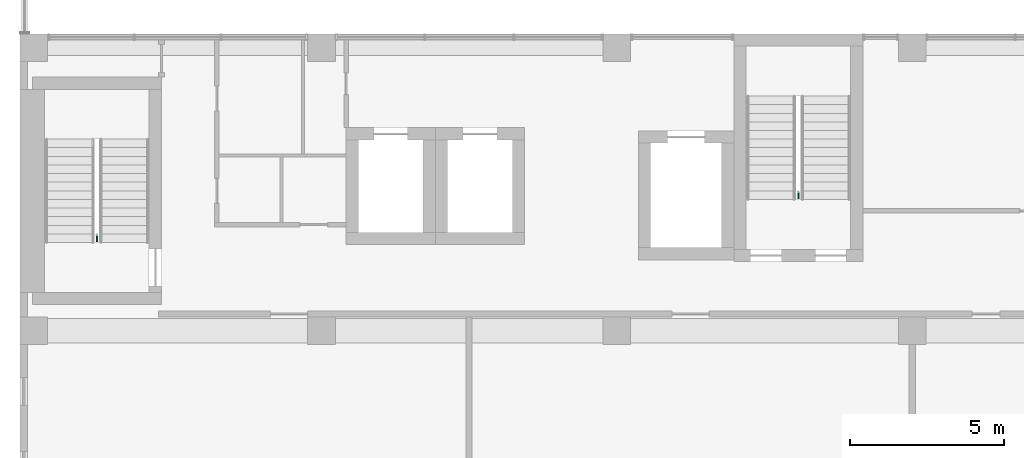
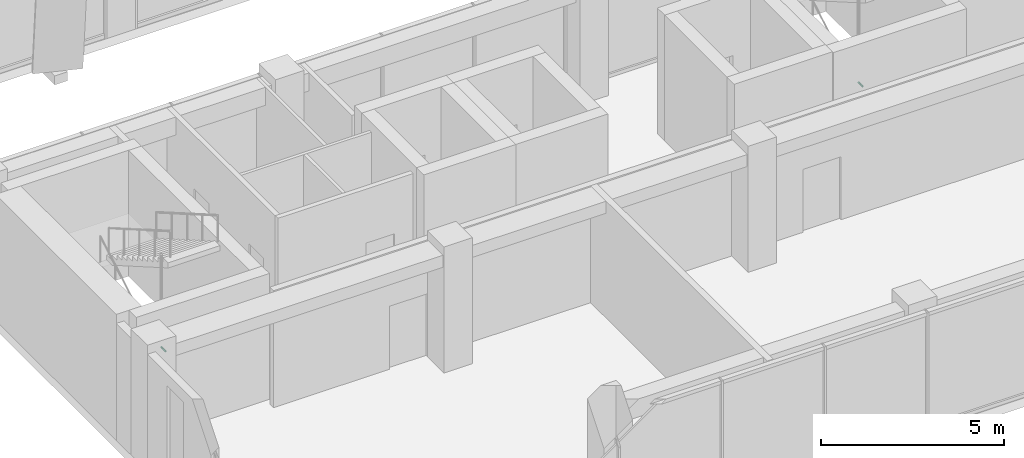
# One storey, part 35 of 36: 2 pipe fittings.
"""IFC4 building model written with IfcOpenShell, lengths in metres."""

from ifc_helpers import new_model, si_unit, direction, frame, origin, origin_2d, place, context, subcontext, project, spatial, circle, extrude, element, save


model = new_model("IFC4")

# Units and contexts
model_context = context("Model", 3, precision=1e-05, world=origin(), true_north=direction((0.0, 1.0)))
body_context = subcontext(model_context, "Body", "Model", "MODEL_VIEW")
ifc_project = project(units=[si_unit("LENGTHUNIT", "METRE"), si_unit("AREAUNIT", "SQUARE_METRE"), si_unit("VOLUMEUNIT", "CUBIC_METRE"), si_unit("PLANEANGLEUNIT", "RADIAN"), si_unit("MASSUNIT", "GRAM", prefix="KILO")], contexts=[model_context])

# Site, building, storey
site_placement = place(None, origin())
site = spatial("IfcSite", under=ifc_project, at=site_placement, CompositionType="ELEMENT")
building_placement = place(site_placement, origin())
building = spatial("IfcBuilding", under=site, at=building_placement, Name="Nzadi Deep Aquarium and Research Tower", CompositionType="ELEMENT")
storey_placement = place(building_placement, frame((0.0, 0.0, 40.300048828125)))
storey = spatial("IfcBuildingStorey", under=building, at=storey_placement, Name="L07", CompositionType="ELEMENT", Elevation=40.300048828125)

# Pipe fittings
for number, where, z_axis, x_axis, name in (
    (1, (2.300048828125, 12.320068359375, 1.099853515625), (0.0, -1.0, 0.0), (1.0, 0.0, 0.0), "Dry riser outlet ST-Z1-SW L07"),
    (2, (25.10009765625, 13.719970703125, 1.099853515625), (0.0, -1.0, 0.0), (1.0, 0.0, 0.0), "Dry riser outlet ST-Z1-SE L07"),
):
    element("IfcPipeFitting", number, at=place(storey_placement, frame(where, z_axis=z_axis, x_axis=x_axis)), inside=storey, Name=name, PredefinedType="EXIT", context=body_context, shape_type="SweptSolid", body=[
        extrude(circle(Radius=0.0224609375, at=origin_2d()), origin(), (0.0, 0.0, 1.0), 0.22998046875),
    ])

save(model, "model.ifc")
